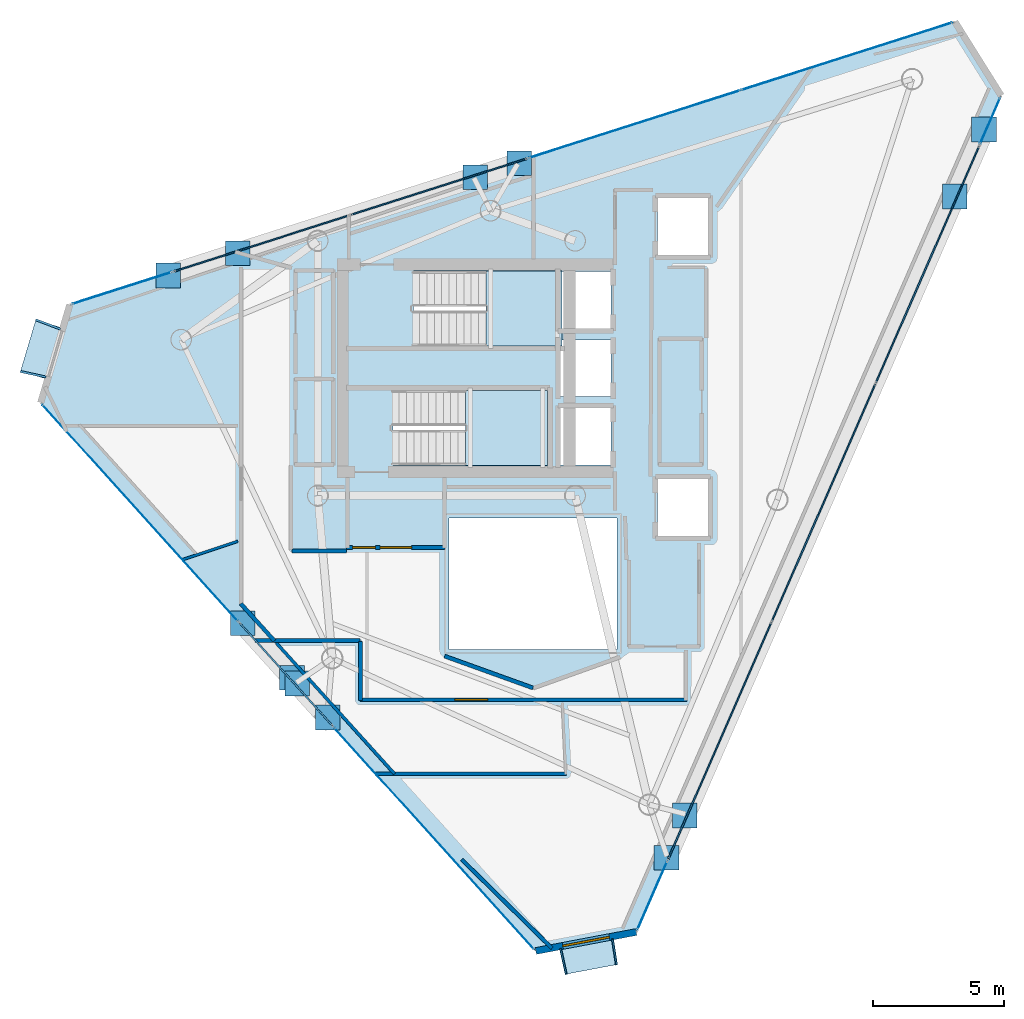
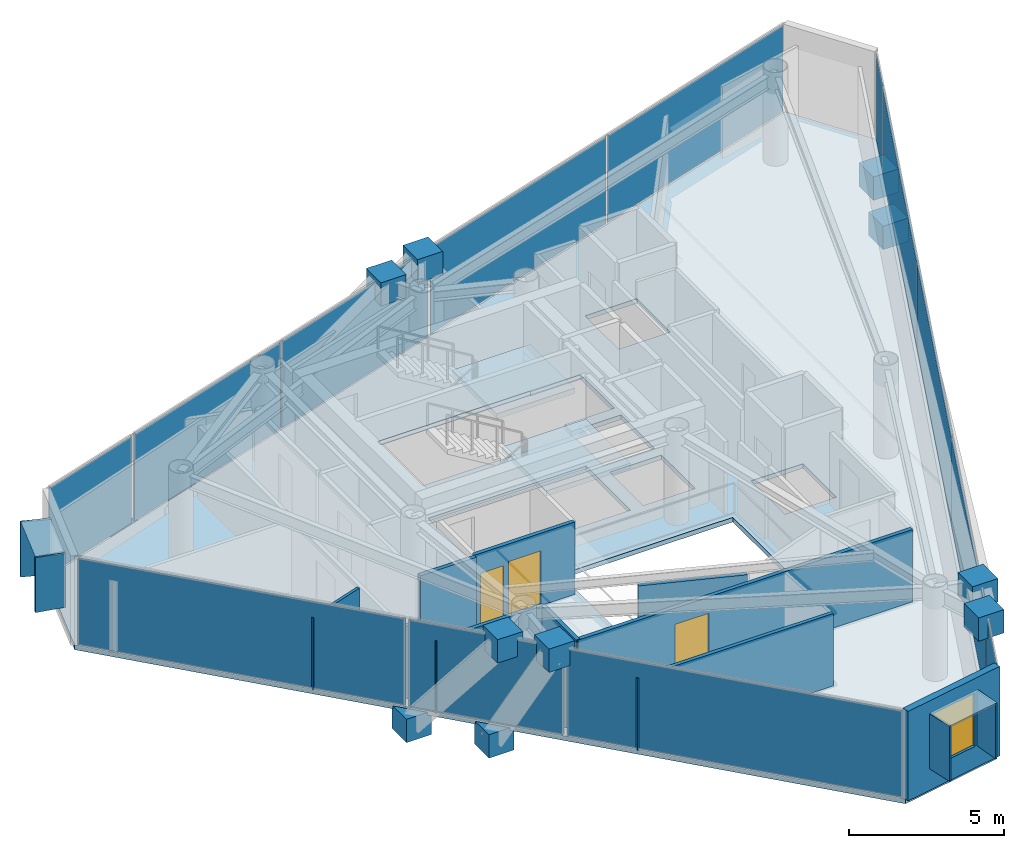
# One storey, part 15 of 19: 31 plates, 12 walls, 3 doors, 3 slabs, 1 window, 4 openings, 11 elements without a shape of their own.
"""IFC4 building model written with IfcOpenShell, lengths in metres."""

from ifc_helpers import new_model, si_unit, direction, frame, frame_2d, origin, origin_2d, place, context, subcontext, project, spatial, polyline, rectangle, outline, extrude, material, layer, layer_set, type_object, element, fill, aggregate, save


model = new_model("IFC4")

# Units and contexts
model_context = context("Model", 3, precision=1e-05, world=origin(), true_north=direction((0.0, 1.0)))
body_context = subcontext(model_context, "Body", "Model", "MODEL_VIEW")
ifc_project = project(units=[si_unit("LENGTHUNIT", "METRE"), si_unit("AREAUNIT", "SQUARE_METRE"), si_unit("VOLUMEUNIT", "CUBIC_METRE"), si_unit("PLANEANGLEUNIT", "RADIAN"), si_unit("MASSUNIT", "GRAM", prefix="KILO")], contexts=[model_context])

# Site, building, storey
site_placement = place(None, origin())
site = spatial("IfcSite", under=ifc_project, at=site_placement, CompositionType="ELEMENT")
building_placement = place(site_placement, origin())
building = spatial("IfcBuilding", under=site, at=building_placement, Name="Qianvela Tower", CompositionType="ELEMENT")
storey_placement = place(building_placement, frame((0.0, 0.0, 329.60009765625)))
storey = spatial("IfcBuildingStorey", under=building, at=storey_placement, Name="L85", CompositionType="ELEMENT", Elevation=329.60009765625)

# Curtain wall, plates
ifc_material_1 = material(Name="Anodised Architectural Aluminium and Insulated Spandrel Panel", Category="aluminium")
ifc_layer_1 = layer(ifc_material_1, 0.179931640625)
ifc_layer_set_1 = layer_set([ifc_layer_1], Name="Anodised Architectural Aluminium and Insulated Spandrel Panel")
curtain_wall_type_1 = type_object("IfcCurtainWallType", Name="CW-BRACEBAY", PredefinedType="USERDEFINED", material=ifc_layer_set_1)
curtain_wall_1_placement = place(storey_placement, origin())
curtain_wall_1 = element("IfcCurtainWall", 1, at=curtain_wall_1_placement, inside=storey, type_object=curtain_wall_type_1, Name="L85 CW-BRACEBAY Curtain Wall 02B", ObjectType="CURTAIN_WALL_SYSTEM", PredefinedType="USERDEFINED")
ifc_material_2 = material(Name="Insulated Aluminium Spandrel Panel with Mineral-Wool Backpan", Category="aluminium")
ifc_layer_2 = layer(ifc_material_2, 0.06005859375)
ifc_layer_set_2 = layer_set([ifc_layer_2], Name="Insulated Aluminium Spandrel Panel with Mineral-Wool Backpan")
plate_type_1 = type_object("IfcPlateType", Name="CW-BRACEBAY-PNL", PredefinedType="CURTAIN_PANEL", material=ifc_layer_set_2)
plate_1_placement = place(storey_placement, frame((33.207763671875, 35.6083984375, 0.06494140625), z_axis=(0.0, 0.0, 1.0), x_axis=(-0.952517874277, -0.304482674684, 0.0)))
plate_1 = element("IfcPlate", 2, at=plate_1_placement, type_object=plate_type_1, Name="CW-9 panel 1.1", PredefinedType="CURTAIN_PANEL", context=body_context, shape_type="SweptSolid", body=[
    extrude(rectangle(XDim=6.99755859375, YDim=0.06005859375, at=origin_2d()), origin(), (0.0, 0.0, 1.0), 3.389892578125),
])
plate_2_placement = place(storey_placement, frame((26.48046875, 33.4580078125, 0.06494140625), z_axis=(0.0, 0.0, 1.0), x_axis=(-0.952517874277, -0.304482674684, 0.0)))
plate_2 = element("IfcPlate", 3, at=plate_2_placement, type_object=plate_type_1, Name="CW-9 panel 2.1", PredefinedType="CURTAIN_PANEL", context=body_context, shape_type="SweptSolid", body=[
    extrude(rectangle(XDim=6.99755859375, YDim=0.06005859375, at=origin_2d()), origin(), (0.0, 0.0, 1.0), 3.389892578125),
])
aggregate(curtain_wall_1, [plate_1, plate_2])

# Curtain wall, plate
curtain_wall_2_placement = place(storey_placement, origin())
curtain_wall_2 = element("IfcCurtainWall", 4, at=curtain_wall_2_placement, inside=storey, type_object=curtain_wall_type_1, Name="L85 CW-BRACEBAY Curtain Wall 04B", ObjectType="CURTAIN_WALL_SYSTEM", PredefinedType="USERDEFINED")
plate_3_placement = place(storey_placement, frame((27.3955078125, 17.0458984375, 0.06494140625), z_axis=(0.0, 0.0, 1.0), x_axis=(0.670173770374, -0.742204228971, 0.0)))
plate_3 = element("IfcPlate", 5, at=plate_3_placement, type_object=plate_type_1, Name="CW-9 panel 1.1", PredefinedType="CURTAIN_PANEL", context=body_context, shape_type="SweptSolid", body=[
    extrude(rectangle(XDim=5.239990234375, YDim=0.06005859375, at=origin_2d()), origin(), (0.0, 0.0, 1.0), 3.389892578125),
])
aggregate(curtain_wall_2, [plate_3])

# Curtain wall, plates
curtain_wall_3_placement = place(storey_placement, origin())
curtain_wall_3 = element("IfcCurtainWall", 6, at=curtain_wall_3_placement, inside=storey, type_object=curtain_wall_type_1, Name="L85 CW-BRACEBAY Curtain Wall 06B", ObjectType="CURTAIN_WALL_SYSTEM", PredefinedType="USERDEFINED")
plate_4_placement = place(storey_placement, frame((43.90478515625, 14.5234375, 0.06494140625), z_axis=(0.0, 0.0, 1.0), x_axis=(0.399821328572, 0.916593096864, 0.0)))
plate_4 = element("IfcPlate", 7, at=plate_4_placement, type_object=plate_type_1, Name="CW-9 panel 1.1", PredefinedType="CURTAIN_PANEL", context=body_context, shape_type="SweptSolid", body=[
    extrude(rectangle(XDim=9.805908203125, YDim=0.06005859375, at=origin_2d()), origin(), (0.0, 0.0, 1.0), 3.389892578125),
])
plate_5_placement = place(storey_placement, frame((47.85791015625, 23.585693359375, 0.06494140625), z_axis=(0.0, 0.0, 1.0), x_axis=(0.399821328572, 0.916593096864, 0.0)))
plate_5 = element("IfcPlate", 8, at=plate_5_placement, type_object=plate_type_1, Name="CW-9 panel 2.1", PredefinedType="CURTAIN_PANEL", context=body_context, shape_type="SweptSolid", body=[
    extrude(rectangle(XDim=9.83837890625, YDim=0.06005859375, at=origin_2d()), origin(), (0.0, 0.0, 1.0), 3.389892578125),
])
plate_6_placement = place(storey_placement, frame((51.81103515625, 32.648193359375, 0.06494140625), z_axis=(0.0, 0.0, 1.0), x_axis=(0.399821328572, 0.916593096864, 0.0)))
plate_6 = element("IfcPlate", 9, at=plate_6_placement, type_object=plate_type_1, Name="CW-9 panel 3.1", PredefinedType="CURTAIN_PANEL", context=body_context, shape_type="SweptSolid", body=[
    extrude(rectangle(XDim=9.805908203125, YDim=0.06005859375, at=origin_2d()), origin(), (0.0, 0.0, 1.0), 3.389892578125),
])
aggregate(curtain_wall_3, [plate_4, plate_5, plate_6])

ifc_material_3 = material(Name="Anodised Architectural Aluminium and Low-E Glass", Category="aluminium")
ifc_layer_3 = layer(ifc_material_3, 0.14990234375)
ifc_layer_set_3 = layer_set([ifc_layer_3], Name="Anodised Architectural Aluminium and Low-E Glass")
curtain_wall_type_2 = type_object("IfcCurtainWallType", Name="CW-COLIV-Z78", PredefinedType="USERDEFINED", material=ifc_layer_set_3)
curtain_wall_4_placement = place(storey_placement, origin())
curtain_wall_4 = element("IfcCurtainWall", 10, at=curtain_wall_4_placement, inside=storey, type_object=curtain_wall_type_2, Name="L85 CW-COLIV-Z78 Curtain Wall 02A", ObjectType="CURTAIN_WALL_SYSTEM", PredefinedType="USERDEFINED")
ifc_material_4 = material(Name="Double-Silver Low-E Insulated Glass", Category="glass")
ifc_layer_4 = layer(ifc_material_4, 0.02587890625)
ifc_layer_set_4 = layer_set([ifc_layer_4], Name="Double-Silver Low-E Insulated Glass")
plate_type_2 = type_object("IfcPlateType", Name="CW-COLIV-Z78-PNL", PredefinedType="CURTAIN_PANEL", material=ifc_layer_set_4)
plate_7_placement = place(storey_placement, frame((48.73974609375, 40.573486328125, 0.06005859375), z_axis=(0.0, 0.0, 1.0), x_axis=(-0.952517413565, -0.304484115934, 0.0)))
plate_7 = element("IfcPlate", 11, at=plate_7_placement, type_object=plate_type_2, Name="CW-6 panel 1.1", PredefinedType="CURTAIN_PANEL", context=body_context, shape_type="SweptSolid", body=[
    extrude(rectangle(XDim=8.4150390625, YDim=0.02587890625, at=origin_2d()), origin(), (0.0, 0.0, 1.0), 3.39990234375),
])
plate_8_placement = place(storey_placement, frame((40.6669921875, 37.992919921875, 0.06005859375), z_axis=(0.0, 0.0, 1.0), x_axis=(-0.952517413565, -0.304484115934, 0.0)))
plate_8 = element("IfcPlate", 12, at=plate_8_placement, type_object=plate_type_2, Name="CW-6 panel 2.1", PredefinedType="CURTAIN_PANEL", context=body_context, shape_type="SweptSolid", body=[
    extrude(rectangle(XDim=8.4150390625, YDim=0.02587890625, at=origin_2d()), origin(), (0.0, 0.0, 1.0), 3.39990234375),
])
aggregate(curtain_wall_4, [plate_7, plate_8])

# Curtain wall, plate
curtain_wall_5_placement = place(storey_placement, origin())
curtain_wall_5 = element("IfcCurtainWall", 13, at=curtain_wall_5_placement, inside=storey, type_object=curtain_wall_type_2, Name="L85 CW-COLIV-Z78 Curtain Wall 02C", ObjectType="CURTAIN_WALL_SYSTEM", PredefinedType="USERDEFINED")
plate_9_placement = place(storey_placement, frame((21.14892578125, 31.753662109375, 0.06005859375), z_axis=(0.0, 0.0, 1.0), x_axis=(-0.952520018474, -0.304475966877, 0.0)))
plate_9 = element("IfcPlate", 14, at=plate_9_placement, type_object=plate_type_2, Name="CW-6 panel 1.1", PredefinedType="CURTAIN_PANEL", context=body_context, shape_type="SweptSolid", body=[
    extrude(rectangle(XDim=3.947265625, YDim=0.02587890625, at=origin_2d()), origin(), (0.0, 0.0, 1.0), 3.39990234375),
])
aggregate(curtain_wall_5, [plate_9])

curtain_wall_6_placement = place(storey_placement, origin())
curtain_wall_6 = element("IfcCurtainWall", 15, at=curtain_wall_6_placement, inside=storey, type_object=curtain_wall_type_2, Name="L85 CW-COLIV-Z78 Curtain Wall 04A", ObjectType="CURTAIN_WALL_SYSTEM", PredefinedType="USERDEFINED")
plate_10_placement = place(storey_placement, frame((21.84326171875, 23.1953125, 0.06005859375), z_axis=(0.0, 0.0, 1.0), x_axis=(0.670166494378, -0.742210798771, 0.0)))
plate_10 = element("IfcPlate", 16, at=plate_10_placement, type_object=plate_type_2, Name="CW-6 panel 1.1", PredefinedType="CURTAIN_PANEL", context=body_context, shape_type="SweptSolid", body=[
    extrude(rectangle(XDim=11.080078125, YDim=0.02587890625, at=origin_2d()), origin(), (0.0, 0.0, 1.0), 3.39990234375),
])
aggregate(curtain_wall_6, [plate_10])

curtain_wall_7_placement = place(storey_placement, origin())
curtain_wall_7 = element("IfcCurtainWall", 17, at=curtain_wall_7_placement, inside=storey, type_object=curtain_wall_type_2, Name="L85 CW-COLIV-Z78 Curtain Wall 04C", ObjectType="CURTAIN_WALL_SYSTEM", PredefinedType="USERDEFINED")
plate_11_placement = place(storey_placement, frame((33.0322265625, 10.80322265625, 0.06005859375), z_axis=(0.0, 0.0, 1.0), x_axis=(0.670164164322, -0.742212902649, 0.0)))
plate_11 = element("IfcPlate", 18, at=plate_11_placement, type_object=plate_type_2, Name="CW-6 panel 1.1", PredefinedType="CURTAIN_PANEL", context=body_context, shape_type="SweptSolid", body=[
    extrude(rectangle(XDim=11.33203125, YDim=0.02587890625, at=origin_2d()), origin(), (0.0, 0.0, 1.0), 3.39990234375),
])
aggregate(curtain_wall_7, [plate_11])

curtain_wall_8_placement = place(storey_placement, origin())
curtain_wall_8 = element("IfcCurtainWall", 19, at=curtain_wall_8_placement, inside=storey, type_object=curtain_wall_type_2, Name="L85 CW-COLIV-Z78 Curtain Wall 06A", ObjectType="CURTAIN_WALL_SYSTEM", PredefinedType="USERDEFINED")
plate_12_placement = place(storey_placement, frame((41.332763671875, 8.626953125, 0.06005859375), z_axis=(0.0, 0.0, 1.0), x_axis=(0.399830292086, 0.916589186894, 0.0)))
plate_12 = element("IfcPlate", 20, at=plate_12_placement, type_object=plate_type_2, Name="CW-6 panel 1.1", PredefinedType="CURTAIN_PANEL", context=body_context, shape_type="SweptSolid", body=[
    extrude(rectangle(XDim=2.81005859375, YDim=0.02587890625, at=origin_2d()), origin(), (0.0, 0.0, 1.0), 3.39990234375),
])
aggregate(curtain_wall_8, [plate_12])

curtain_wall_9_placement = place(storey_placement, origin())
curtain_wall_9 = element("IfcCurtainWall", 21, at=curtain_wall_9_placement, inside=storey, type_object=curtain_wall_type_2, Name="L85 CW-COLIV-Z78 Curtain Wall 06C", ObjectType="CURTAIN_WALL_SYSTEM", PredefinedType="USERDEFINED")
plate_13_placement = place(storey_placement, frame((54.195556640625, 38.115234375, 0.06005859375), z_axis=(0.0, 0.0, 1.0), x_axis=(0.399802691404, 0.916601226241, 0.0)))
plate_13 = element("IfcPlate", 22, at=plate_13_placement, type_object=plate_type_2, Name="CW-6 panel 1.1", PredefinedType="CURTAIN_PANEL", context=body_context, shape_type="SweptSolid", body=[
    extrude(rectangle(XDim=1.873291015625, YDim=0.02587890625, at=origin_2d()), origin(), (0.0, 0.0, 1.0), 3.39990234375),
])
aggregate(curtain_wall_9, [plate_13])

# Plates
ifc_material_5 = material(Name="Steel Q420GJC", Category="steel")
ifc_layer_5 = layer(ifc_material_5, 0.1298828125)
ifc_layer_set_5 = layer_set([ifc_layer_5], Name="Steel Q420GJC")
plate_type_3 = type_object("IfcPlateType", Name="PT-ENDCAP-130", PredefinedType="USERDEFINED", material=ifc_layer_set_5)
for number, where, z_axis, x_axis, name in (
    (23, (25.55712890625, 33.078857421875, -0.9609375), (0.0, 0.0, 1.0), (1.0, 0.0, 0.0), "L85 Hollow Section End Cap Plate A"),
    (24, (36.267822265625, 36.502685546875, 2.77685546875), (0.0, 0.0, 1.0), (1.0, 0.0, 0.0), "L85 Hollow Section End Cap Plate B"),
    (25, (22.9072265625, 32.231689453125, -0.95947265625), (0.0, 0.0, 1.0), (1.0, 0.0, 0.0), "L85 Hollow Section End Cap Plate A"),
    (26, (34.59912109375, 35.96923828125, 2.775390625), (0.0, 0.0, 1.0), (1.0, 0.0, 0.0), "L85 Hollow Section End Cap Plate B"),
    (27, (25.746337890625, 18.99169921875, -0.988525390625), (0.0, 0.0, 1.0), (1.0, 0.0, 0.0), "L85 Hollow Section End Cap Plate A"),
    (28, (27.814453125, 16.701416015625, 2.804443359375), (0.0, 0.0, 1.0), (1.0, 0.0, 0.0), "L85 Hollow Section End Cap Plate B"),
    (29, (27.616943359375, 16.920166015625, -0.994873046875), (0.0, 0.0, 1.0), (1.0, 0.0, 0.0), "L85 Hollow Section End Cap Plate A"),
    (30, (28.982421875, 15.40771484375, 2.810791015625), (0.0, 0.0, 1.0), (1.0, 0.0, 0.0), "L85 Hollow Section End Cap Plate B"),
    (31, (52.85302734375, 35.237548828125, -0.949951171875), (0.0, 0.0, 1.0), (1.0, 0.0, 0.0), "L85 Hollow Section End Cap Plate A"),
    (32, (41.872802734375, 10.065185546875, 2.765869140625), (0.0, 0.0, 1.0), (1.0, 0.0, 0.0), "L85 Hollow Section End Cap Plate B"),
    (33, (53.965087890625, 37.787109375, -0.949951171875), (0.0, 0.0, 1.0), (1.0, 0.0, 0.0), "L85 Hollow Section End Cap Plate A"),
    (34, (42.573486328125, 11.67138671875, 2.765625), (0.0, 0.0, 1.0), (1.0, 0.0, 0.0), "L85 Hollow Section End Cap Plate B"),
):
    element("IfcPlate", number, at=place(storey_placement, frame(where, z_axis=z_axis, x_axis=x_axis)), inside=storey, type_object=plate_type_3, Name=name, ObjectType="END_CAP", PredefinedType="USERDEFINED", context=body_context, shape_type="SweptSolid", body=[
        extrude(rectangle(XDim=0.93994140625, YDim=0.93994140625, at=origin_2d()), origin(), (0.0, 0.0, 1.0), 0.919921875),
    ])

# Slab
ifc_material_6 = material(Name="Concrete C40", Category="concrete")
ifc_layer_6 = layer(ifc_material_6, 0.179931640625)
ifc_layer_set_6 = layer_set([ifc_layer_6], Name="Concrete C40")
slab_type_1 = type_object("IfcSlabType", Name="SL-FLOOR-180", PredefinedType="FLOOR", material=ifc_layer_set_6)
slab_1_placement = place(storey_placement, frame((0.0, 0.0, -0.18017578125)))
element("IfcSlab", 35, at=slab_1_placement, inside=storey, type_object=slab_type_1, Name="L85 Composite Structural Floor Slab", PredefinedType="FLOOR", context=body_context, shape_type="SweptSolid", body=[
    extrude(outline(polyline([(54.614013671875, 39.07470703125), (52.852294921875, 41.887939453125), (19.164306640625, 31.119384765625), (18.056640625, 27.388671875), (36.903076171875, 6.516357421875), (40.72705078125, 7.23828125), (54.614013671875, 39.07470703125)]), holes=[polyline([(40.0, 23.0), (33.60009765625, 23.0), (33.60009765625, 18.0), (40.0, 18.0), (40.0, 23.0)]), polyline([(43.4599609375, 24.47998046875), (41.5400390625, 24.47998046875), (41.5400390625, 22.320068359375), (43.4599609375, 22.320068359375), (43.4599609375, 24.47998046875)]), polyline([(39.760009765625, 27.179931640625), (37.840087890625, 27.179931640625), (37.840087890625, 25.02001953125), (39.760009765625, 25.02001953125), (39.760009765625, 27.179931640625)]), polyline([(37.35009765625, 27.860107421875), (31.469970703125, 27.860107421875), (31.469970703125, 25.0), (37.35009765625, 25.0), (37.35009765625, 27.860107421875)]), polyline([(39.760009765625, 27.6201171875), (39.760009765625, 29.780029296875), (37.89990234375, 29.780029296875), (37.89990234375, 30.219970703125), (39.760009765625, 30.219970703125), (39.760009765625, 32.3798828125), (37.89990234375, 32.3798828125), (37.89990234375, 32.39990234375), (32.25, 32.39990234375), (32.25, 29.5400390625), (37.840087890625, 29.5400390625), (37.840087890625, 27.6201171875), (39.760009765625, 27.6201171875)]), polyline([(43.4599609375, 35.179931640625), (41.5400390625, 35.179931640625), (41.5400390625, 33.02001953125), (43.4599609375, 33.02001953125), (43.4599609375, 35.179931640625)])]), origin(), (0.0, 0.0, 1.0), 0.18017578125),
])

# Stair, slab
ifc_material_7 = material(Name="Concrete C40", Category="concrete")
stair_type = type_object("IfcStairType", Name="ST-DOGLEG-1350-R168-N22", PredefinedType="HALF_TURN_STAIR", material=ifc_material_7)
stair_1_placement = place(storey_placement, origin())
stair_1 = element("IfcStair", 36, at=stair_1_placement, inside=storey, type_object=stair_type, Name="L85 Smoke-Proof Core Stair ST-1", PredefinedType="HALF_TURN_STAIR")
ifc_material_8 = material(Name="Concrete C40", Category="concrete")
ifc_layer_7 = layer(ifc_material_8, 0.199951171875)
ifc_layer_set_7 = layer_set([ifc_layer_7], Name="Concrete C40")
slab_type_2 = type_object("IfcSlabType", Name="SL-STAIR-LANDING-200", PredefinedType="LANDING", material=ifc_layer_set_7)
slab_2_placement = place(storey_placement, frame((0.0, 0.0, 1.64990234375)))
slab_2 = element("IfcSlab", 37, at=slab_2_placement, type_object=slab_type_2, Name="ST-1 landing 1", PredefinedType="LANDING", context=body_context, shape_type="SweptSolid", body=[
    extrude(outline(polyline([(35.0, 29.5400390625), (37.89990234375, 29.5400390625), (37.89990234375, 32.39990234375), (35.0, 32.39990234375), (35.0, 29.5400390625)])), origin(), (0.0, 0.0, 1.0), 0.199951171875),
])
aggregate(stair_1, [slab_2])

stair_2_placement = place(storey_placement, origin())
stair_2 = element("IfcStair", 38, at=stair_2_placement, inside=storey, type_object=stair_type, Name="L85 Smoke-Proof Core Stair ST-2", PredefinedType="HALF_TURN_STAIR")
slab_3_placement = place(storey_placement, frame((0.0, 0.0, 1.64990234375)))
slab_3 = element("IfcSlab", 39, at=slab_3_placement, type_object=slab_type_2, Name="ST-2 landing 1", PredefinedType="LANDING", context=body_context, shape_type="SweptSolid", body=[
    extrude(outline(polyline([(34.219970703125, 25.0), (37.35009765625, 25.0), (37.35009765625, 27.860107421875), (34.219970703125, 27.860107421875), (34.219970703125, 25.0)])), origin(), (0.0, 0.0, 1.0), 0.199951171875),
])
aggregate(stair_2, [slab_3])

# Plates
ifc_material_9 = material(Name="Vitrified Architectural Terracotta Panel", Category="masonry")
ifc_layer_8 = layer(ifc_material_9, 0.06494140625)
ifc_layer_set_8 = layer_set([ifc_layer_8], Name="Vitrified Architectural Terracotta Panel")
plate_type_4 = type_object("IfcPlateType", Name="TERRACOTTA-SUNSHADE-HOOD-FOLD-B", PredefinedType="USERDEFINED", material=ifc_layer_set_8)
plate_14_placement = place(storey_placement, frame((38.923583984375, 6.302490234375, 2.9599609375), z_axis=(0.0, 0.0, 1.0), x_axis=(0.982633205714, 0.185558570343, 0.0)))
element("IfcPlate", 40, at=plate_14_placement, inside=storey, type_object=plate_type_4, Name="L85 Terracotta Sunshade Hood FOLD-B", ObjectType="SUNSHADE", PredefinedType="USERDEFINED", context=body_context, shape_type="SweptSolid", body=[
    extrude(rectangle(XDim=2.0400390625, YDim=0.989990234375, at=origin_2d()), origin(), (0.0, 0.0, 1.0), 0.06005859375),
])
ifc_material_10 = material(Name="Vitrified Architectural Terracotta Panel", Category="masonry")
ifc_layer_9 = layer(ifc_material_10, 0.074951171875)
ifc_layer_set_9 = layer_set([ifc_layer_9], Name="Vitrified Architectural Terracotta Panel")
plate_type_5 = type_object("IfcPlateType", Name="TERRACOTTA-SUNSHADE-HOOD-FOLD-D", PredefinedType="USERDEFINED", material=ifc_layer_set_9)
plate_15_placement = place(storey_placement, frame((18.049560546875, 29.42041015625, 2.9599609375), z_axis=(0.0, 0.0, 1.0), x_axis=(-0.284592635546, -0.958648544459, 0.0)))
element("IfcPlate", 41, at=plate_15_placement, inside=storey, type_object=plate_type_5, Name="L85 Terracotta Sunshade Hood FOLD-D", ObjectType="SUNSHADE", PredefinedType="USERDEFINED", context=body_context, shape_type="SweptSolid", body=[
    extrude(rectangle(XDim=2.0400390625, YDim=0.989990234375, at=origin_2d()), origin(), (0.0, 0.0, 1.0), 0.06005859375),
])
ifc_material_11 = material(Name="Vitrified Architectural Terracotta Side Fin Panel", Category="masonry")
ifc_layer_10 = layer(ifc_material_11, 0.070068359375)
ifc_layer_set_10 = layer_set([ifc_layer_10], Name="Vitrified Architectural Terracotta Side Fin Panel")
plate_type_6 = type_object("IfcPlateType", Name="TERRACOTTA-SUNSHADE-STRUT-FOLD-B", PredefinedType="USERDEFINED", material=ifc_layer_set_10)
for number, where, z_axis, x_axis, name in (
    (42, (37.95068359375, 6.118896484375, 0.85009765625), (0.0, 0.0, 1.0), (0.976508213731, 0.215480181259, 0.0), "L85 Terracotta Sunshade Side Fin HL FOLD-B"),
    (43, (39.896484375, 6.486083984375, 0.85009765625), (0.0, 0.0, 1.0), (0.987841579435, 0.155463866993, 0.0), "L85 Terracotta Sunshade Side Fin HR FOLD-B"),
):
    element("IfcPlate", number, at=place(storey_placement, frame(where, z_axis=z_axis, x_axis=x_axis)), inside=storey, type_object=plate_type_6, Name=name, ObjectType="SUNSHADE", PredefinedType="USERDEFINED", context=body_context, shape_type="SweptSolid", body=[
        extrude(rectangle(XDim=0.070068359375, YDim=1.010009765625, at=origin_2d()), origin(), (0.0, 0.0, 1.0), 2.159912109375),
    ])
ifc_material_12 = material(Name="Vitrified Architectural Terracotta Side Fin Panel", Category="masonry")
ifc_layer_11 = layer(ifc_material_12, 0.080078125)
ifc_layer_set_11 = layer_set([ifc_layer_11], Name="Vitrified Architectural Terracotta Side Fin Panel")
plate_type_7 = type_object("IfcPlateType", Name="TERRACOTTA-SUNSHADE-STRUT-FOLD-D", PredefinedType="USERDEFINED", material=ifc_layer_set_11)
for number, where, z_axis, x_axis, name in (
    (44, (18.331298828125, 30.369384765625, 0.85009765625), (0.0, 0.0, 1.0), (-0.354854054734, -0.934921707866, 0.0), "L85 Terracotta Sunshade Side Fin HL FOLD-D"),
    (45, (17.767822265625, 28.471435546875, 0.85009765625), (0.0, 0.0, 1.0), (-0.212766062219, -0.977103168948, 0.0), "L85 Terracotta Sunshade Side Fin HR FOLD-D"),
):
    element("IfcPlate", number, at=place(storey_placement, frame(where, z_axis=z_axis, x_axis=x_axis)), inside=storey, type_object=plate_type_7, Name=name, ObjectType="SUNSHADE", PredefinedType="USERDEFINED", context=body_context, shape_type="SweptSolid", body=[
        extrude(rectangle(XDim=0.080078125, YDim=1.010009765625, at=origin_2d()), origin(), (0.0, 0.0, 1.0), 2.159912109375),
    ])

# Wall, opening, window
ifc_material_13 = material(Name="Terracotta Cladding on Concrete C40", Category="masonry")
ifc_layer_12 = layer(ifc_material_13, 0.260009765625)
ifc_layer_set_12 = layer_set([ifc_layer_12], Name="Terracotta Cladding on Concrete C40")
wall_type_1 = type_object("IfcWallType", Name="TERRACOTTA-WALL-260", PredefinedType="SOLIDWALL", material=ifc_layer_set_12)
wall_1_placement = place(storey_placement, frame((36.903076171875, 6.516357421875, 0.0), z_axis=(0.0, 0.0, 1.0), x_axis=(0.982642022864, 0.185511872669, 0.0)))
wall_1 = element("IfcWall", 46, at=wall_1_placement, inside=storey, type_object=wall_type_1, Name="L85 Terracotta Chamfer Facet Wall 5", PredefinedType="SOLIDWALL", context=body_context, shape_type="SweptSolid", body=[
    extrude(rectangle(XDim=3.8916015625, YDim=0.260009765625, at=frame_2d((1.94580078125, 0.0))), origin(), (0.0, 0.0, 1.0), 3.52001953125),
])
opening_1_placement = place(wall_1_placement, frame((1.045654296875, 0.0, 0.85009765625)))
opening_1 = element("IfcOpeningElement", 47, at=opening_1_placement, cuts=wall_1, Name="Opening W-01", PredefinedType="OPENING", context=body_context, shape_type="SweptSolid", body=[
    extrude(rectangle(XDim=1.800048828125, YDim=2.10009765625, at=frame_2d((0.89990234375, 1.050048828125))), frame((0.0, 0.139892578125, 0.0), z_axis=(0.0, -1.0, 0.0), x_axis=(1.0, 0.0, 0.0)), (0.0, 0.0, 1.0), 0.280029296875),
])
ifc_material_14 = material(Name="Thermally Broken Aluminium and Low-E Glass", Category="aluminium")
window_type = type_object("IfcWindowType", Name="WIN-TC-1800x2100", PartitioningType="DOUBLE_PANEL_VERTICAL", PredefinedType="WINDOW", material=ifc_material_14)
window_placement = place(opening_1_placement, origin())
window = element("IfcWindow", 48, at=window_placement, inside=storey, type_object=window_type, Name="L85 Chamfer Facet Window 5.1", OverallHeight=2.10009765625, OverallWidth=1.800048828125, PartitioningType="SINGLE_PANEL", PredefinedType="WINDOW", context=body_context, shape_type="SweptSolid", body=[
    extrude(rectangle(XDim=1.800048828125, YDim=2.10009765625, at=frame_2d((0.89990234375, 1.050048828125))), frame((0.0, 0.030029296875, 0.0), z_axis=(0.0, -1.0, 0.0), x_axis=(1.0, 0.0, 0.0)), (0.0, 0.0, 1.0), 0.06005859375),
])
fill(opening_1, window)

# Wall, openings, doors
ifc_material_15 = material(Name="Fire-Rated Acoustic Gypsum Board")
ifc_layer_13 = layer(ifc_material_15, 0.14990234375)
ifc_layer_set_13 = layer_set([ifc_layer_13], Name="Fire-Rated Acoustic Gypsum Board")
wall_type_2 = type_object("IfcWallType", Name="WT-CORR-150", PredefinedType="PARTITIONING", material=ifc_layer_set_13)
wall_2_placement = place(storey_placement, frame((33.449951171875, 21.881103515625, 0.0), z_axis=(0.0, 0.0, 1.0), x_axis=(-1.0, 0.0, 0.0)))
wall_2 = element("IfcWall", 49, at=wall_2_placement, inside=storey, type_object=wall_type_2, Name="L85 Partition 5", PredefinedType="PARTITIONING", context=body_context, shape_type="SweptSolid", body=[
    extrude(rectangle(XDim=3.75, YDim=0.14990234375, at=frame_2d((1.875, 0.0))), origin(), (0.0, 0.0, 1.0), 2.83984375),
])
opening_2_placement = place(wall_2_placement, frame((1.27490234375, 0.0, 0.0)))
opening_2 = element("IfcOpeningElement", 50, at=opening_2_placement, cuts=wall_2, Name="Opening D-LB1", PredefinedType="OPENING", context=body_context, shape_type="SweptSolid", body=[
    extrude(rectangle(XDim=1.199951171875, YDim=2.14990234375, at=frame_2d((0.60009765625, 1.074951171875))), frame((0.0, 0.0849609375, 0.0), z_axis=(0.0, -1.0, 0.0), x_axis=(1.0, 0.0, 0.0)), (0.0, 0.0, 1.0), 0.169921875),
])
opening_3_placement = place(wall_2_placement, frame((2.659912109375, 0.0, 0.0)))
opening_3 = element("IfcOpeningElement", 51, at=opening_3_placement, cuts=wall_2, Name="Opening D-LB2", PredefinedType="OPENING", context=body_context, shape_type="SweptSolid", body=[
    extrude(rectangle(XDim=0.860107421875, YDim=2.050048828125, at=frame_2d((0.43017578125, 1.02490234375))), frame((0.0, 0.0849609375, 0.0), z_axis=(0.0, -1.0, 0.0), x_axis=(1.0, 0.0, 0.0)), (0.0, 0.0, 1.0), 0.169921875),
])
ifc_material_16 = material(Name="Glazed Fire-Rated Steel Frame", Category="steel")
door_type_1 = type_object("IfcDoorType", Name="DT-LOBBY-FD90", OperationType="NOTDEFINED", PredefinedType="DOOR", material=ifc_material_16)
door_1_placement = place(opening_2_placement, origin())
door_1 = element("IfcDoor", 52, at=door_1_placement, inside=storey, type_object=door_type_1, Name="L85 Door L85 Firefighting Lobby South to L85 Floor Corridor", OperationType="SINGLE_SWING_LEFT", OverallHeight=2.14990234375, OverallWidth=1.199951171875, PredefinedType="DOOR", context=body_context, shape_type="SweptSolid", body=[
    extrude(rectangle(XDim=1.199951171875, YDim=2.14990234375, at=frame_2d((0.60009765625, 1.074951171875))), frame((0.0, 0.02490234375, 0.0), z_axis=(0.0, -1.0, 0.0), x_axis=(1.0, 0.0, 0.0)), (0.0, 0.0, 1.0), 0.050048828125),
])
fill(opening_2, door_1)
ifc_material_17 = material(Name="Insulated Steel Fire Door Q355B", Category="steel")
door_type_2 = type_object("IfcDoorType", Name="DT-LOBBY-FD90-860", OperationType="NOTDEFINED", PredefinedType="DOOR", material=ifc_material_17)
door_2_placement = place(opening_3_placement, origin())
door_2 = element("IfcDoor", 53, at=door_2_placement, inside=storey, type_object=door_type_2, Name="L85 Door L85 Firefighting Lobby South to L85 Floor Corridor", OperationType="SINGLE_SWING_LEFT", OverallHeight=2.050048828125, OverallWidth=0.860107421875, PredefinedType="DOOR", context=body_context, shape_type="SweptSolid", body=[
    extrude(rectangle(XDim=0.860107421875, YDim=2.050048828125, at=frame_2d((0.43017578125, 1.02490234375))), frame((0.0, 0.02490234375, 0.0), z_axis=(0.0, -1.0, 0.0), x_axis=(1.0, 0.0, 0.0)), (0.0, 0.0, 1.0), 0.050048828125),
])
fill(opening_3, door_2)

# Wall
wall_3_placement = place(storey_placement, frame((33.433837890625, 17.738037109375, 0.0), z_axis=(0.0, 0.0, 1.0), x_axis=(0.940782662834, -0.339010296764, 0.0)))
element("IfcWall", 54, at=wall_3_placement, inside=storey, type_object=wall_type_2, Name="L85 Partition 45", PredefinedType="PARTITIONING", context=body_context, shape_type="SweptSolid", body=[
    extrude(rectangle(XDim=3.56689453125, YDim=0.14990234375, at=frame_2d((1.783447265625, 0.0))), origin(), (0.0, 0.0, 1.0), 2.83984375),
])

# Wall, opening, door
wall_4_placement = place(storey_placement, frame((42.64990234375, 16.0810546875, 0.0), z_axis=(0.0, 0.0, 1.0), x_axis=(-1.0, 0.0, 0.0)))
wall_4 = element("IfcWall", 55, at=wall_4_placement, inside=storey, type_object=wall_type_2, Name="L85 Partition 49", PredefinedType="PARTITIONING", context=body_context, shape_type="SweptSolid", body=[
    extrude(rectangle(XDim=12.449951171875, YDim=0.14990234375, at=frame_2d((6.22509765625, 0.0))), origin(), (0.0, 0.0, 1.0), 2.83984375),
])
opening_4_placement = place(wall_4_placement, frame((7.58251953125, 0.0, 0.0)))
opening_4 = element("IfcOpeningElement", 56, at=opening_4_placement, cuts=wall_4, Name="Opening D-LG1", PredefinedType="OPENING", context=body_context, shape_type="SweptSolid", body=[
    extrude(rectangle(XDim=1.25, YDim=2.199951171875, at=frame_2d((0.625, 1.10009765625))), frame((0.0, 0.0849609375, 0.0), z_axis=(0.0, -1.0, 0.0), x_axis=(1.0, 0.0, 0.0)), (0.0, 0.0, 1.0), 0.169921875),
])
ifc_material_18 = material(Name="Anodised Aluminium Acoustic Glass Door", Category="aluminium")
door_type_3 = type_object("IfcDoorType", Name="DT-LOUNGE-1250", OperationType="NOTDEFINED", PredefinedType="DOOR", material=ifc_material_18)
door_3_placement = place(opening_4_placement, origin())
door_3 = element("IfcDoor", 57, at=door_3_placement, inside=storey, type_object=door_type_3, Name="L85 Door Quiet Reading Study L85-02 to L85 Floor Corridor", OperationType="SINGLE_SWING_LEFT", OverallHeight=2.199951171875, OverallWidth=1.25, PredefinedType="DOOR", context=body_context, shape_type="SweptSolid", body=[
    extrude(rectangle(XDim=1.25, YDim=2.199951171875, at=frame_2d((0.625, 1.10009765625))), frame((0.0, 0.02490234375, 0.0), z_axis=(0.0, -1.0, 0.0), x_axis=(1.0, 0.0, 0.0)), (0.0, 0.0, 1.0), 0.050048828125),
])
fill(opening_4, door_3)

# Walls
wall_5_placement = place(storey_placement, frame((30.23095703125, 16.050048828125, 0.0), z_axis=(0.0, 0.0, 1.0), x_axis=(0.0, 1.0, 0.0)))
element("IfcWall", 58, at=wall_5_placement, inside=storey, type_object=wall_type_2, Name="L85 Partition 50", PredefinedType="PARTITIONING", context=body_context, shape_type="SweptSolid", body=[
    extrude(rectangle(XDim=2.25, YDim=0.14990234375, at=frame_2d((1.125, 0.0))), origin(), (0.0, 0.0, 1.0), 2.83984375),
])
wall_6_placement = place(storey_placement, frame((30.199951171875, 18.3310546875, 0.0), z_axis=(0.0, 0.0, 1.0), x_axis=(-1.0, 0.0, 0.0)))
element("IfcWall", 59, at=wall_6_placement, inside=storey, type_object=wall_type_2, Name="L85 Partition 51", PredefinedType="PARTITIONING", context=body_context, shape_type="SweptSolid", body=[
    extrude(rectangle(XDim=3.98486328125, YDim=0.14990234375, at=frame_2d((1.992431640625, 0.0))), origin(), (0.0, 0.0, 1.0), 2.83984375),
])
wall_7_placement = place(storey_placement, frame((26.953125, 18.32080078125, 0.0), z_axis=(0.0, 0.0, 1.0), x_axis=(-0.670143193307, 0.742231837409, 0.0)))
element("IfcWall", 60, at=wall_7_placement, inside=storey, type_object=wall_type_2, Name="L85 Partition 52", PredefinedType="PARTITIONING", context=body_context, shape_type="SweptSolid", body=[
    extrude(rectangle(XDim=1.91015625, YDim=0.14990234375, at=frame_2d((0.955078125, 0.0))), origin(), (0.0, 0.0, 1.0), 2.83984375),
])
wall_8_placement = place(storey_placement, frame((27.6201171875, 21.7490234375, 0.0), z_axis=(0.0, 0.0, 1.0), x_axis=(1.0, 0.0, 0.0)))
element("IfcWall", 61, at=wall_8_placement, inside=storey, type_object=wall_type_2, Name="L85 Partition 56 seg 1", PredefinedType="PARTITIONING", context=body_context, shape_type="SweptSolid", body=[
    extrude(rectangle(XDim=2.079833984375, YDim=0.14990234375, at=frame_2d((1.0400390625, 0.0))), origin(), (0.0, 0.0, 1.0), 2.83984375),
])
ifc_material_19 = material(Name="Lightweight Gypsum Room Partition")
ifc_layer_14 = layer(ifc_material_19, 0.10498046875)
ifc_layer_set_14 = layer_set([ifc_layer_14], Name="Lightweight Gypsum Room Partition")
wall_type_3 = type_object("IfcWallType", Name="WT-PART-105", PredefinedType="PARTITIONING", material=ifc_layer_set_14)
wall_9_placement = place(storey_placement, frame((25.560302734375, 22.114501953125, 0.0), z_axis=(0.0, 0.0, 1.0), x_axis=(-0.949107026272, -0.314953731017, 0.0)))
element("IfcWall", 62, at=wall_9_placement, inside=storey, type_object=wall_type_3, Name="L85 Partition 60", PredefinedType="PARTITIONING", context=body_context, shape_type="SweptSolid", body=[
    extrude(rectangle(XDim=2.242431640625, YDim=0.10498046875, at=frame_2d((1.12109375, 0.0))), origin(), (0.0, 0.0, 1.0), 2.83984375),
])
ifc_material_20 = material(Name="Insulated Gypsum Stud Partition")
ifc_layer_15 = layer(ifc_material_20, 0.1201171875)
ifc_layer_set_15 = layer_set([ifc_layer_15], Name="Insulated Gypsum Stud Partition")
wall_type_4 = type_object("IfcWallType", Name="WT-PART-120", PredefinedType="PARTITIONING", material=ifc_layer_set_15)
wall_10_placement = place(storey_placement, frame((31.525390625, 13.257080078125, 0.0), z_axis=(0.0, 0.0, 1.0), x_axis=(-0.67017515135, 0.742202982016, 0.0)))
element("IfcWall", 63, at=wall_10_placement, inside=storey, type_object=wall_type_4, Name="L85 Partition 65", PredefinedType="PARTITIONING", context=body_context, shape_type="SweptSolid", body=[
    extrude(rectangle(XDim=6.714599609375, YDim=0.1201171875, at=frame_2d((3.357421875, 0.0))), origin(), (0.0, 0.0, 1.0), 2.83984375),
])
ifc_material_21 = material(Name="Acoustic Double Gypsum Stud Partition")
ifc_layer_16 = layer(ifc_material_21, 0.139892578125)
ifc_layer_set_16 = layer_set([ifc_layer_16], Name="Acoustic Double Gypsum Stud Partition")
wall_type_5 = type_object("IfcWallType", Name="WT-ROOM-140", PredefinedType="PARTITIONING", material=ifc_layer_set_16)
wall_11_placement = place(storey_placement, frame((38.07568359375, 13.26708984375, 0.0), z_axis=(0.0, 0.0, 1.0), x_axis=(-1.0, 0.0, 0.0)))
element("IfcWall", 64, at=wall_11_placement, inside=storey, type_object=wall_type_5, Name="L85 Partition 64", PredefinedType="PARTITIONING", context=body_context, shape_type="SweptSolid", body=[
    extrude(rectangle(XDim=7.2880859375, YDim=0.139892578125, at=frame_2d((3.64404296875, 0.0))), origin(), (0.0, 0.0, 1.0), 2.83984375),
])
wall_12_placement = place(storey_placement, frame((37.521728515625, 6.61572265625, 0.0), z_axis=(0.0, 0.0, 1.0), x_axis=(-0.712954086421, 0.701210717727, 0.0)))
element("IfcWall", 65, at=wall_12_placement, inside=storey, type_object=wall_type_5, Name="L85 Partition 88 seg 1", PredefinedType="PARTITIONING", context=body_context, shape_type="SweptSolid", body=[
    extrude(rectangle(XDim=4.8232421875, YDim=0.139892578125, at=frame_2d((2.41162109375, 0.0))), origin(), (0.0, 0.0, 1.0), 2.83984375),
])

save(model, "model.ifc")
